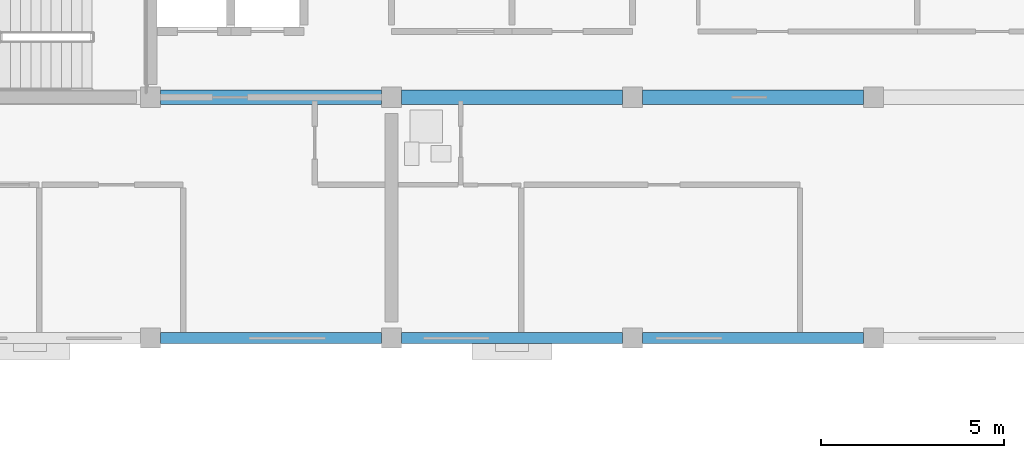
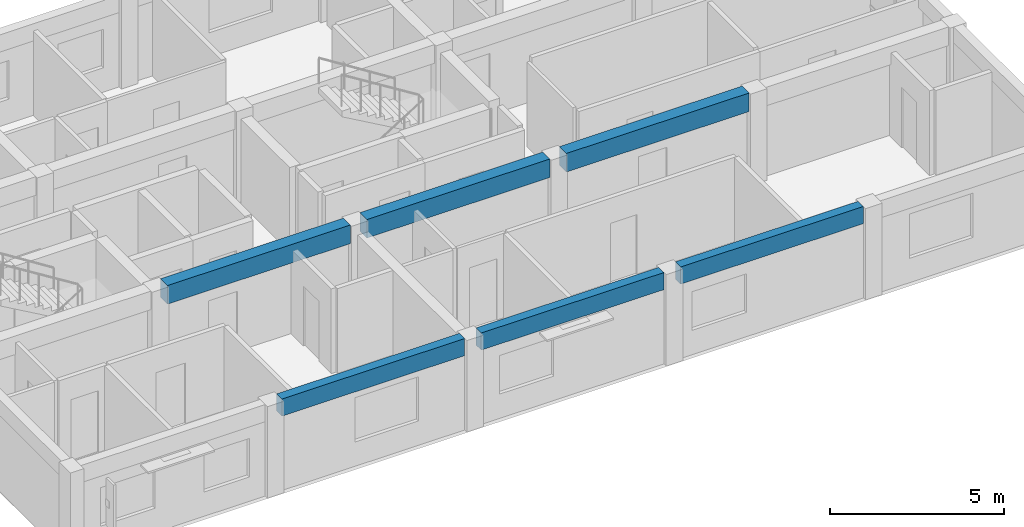
# One storey, part 19 of 52: 6 beams.
"""IFC4 building model written with IfcOpenShell, lengths in metres."""

from ifc_helpers import new_model, si_unit, direction, frame, origin, origin_2d, place, context, subcontext, project, spatial, rectangle, extrude, material, material_profile, profile_set, type_object, element, save


model = new_model("IFC4")

# Units and contexts
model_context = context("Model", 3, precision=1e-05, world=origin(), true_north=direction((0.0, 1.0)))
body_context = subcontext(model_context, "Body", "Model", "MODEL_VIEW")
ifc_project = project(units=[si_unit("LENGTHUNIT", "METRE"), si_unit("AREAUNIT", "SQUARE_METRE"), si_unit("VOLUMEUNIT", "CUBIC_METRE"), si_unit("PLANEANGLEUNIT", "RADIAN"), si_unit("MASSUNIT", "GRAM", prefix="KILO")], contexts=[model_context])

# Site, building, storey
site_placement = place(None, origin())
site = spatial("IfcSite", under=ifc_project, at=site_placement, CompositionType="ELEMENT")
building_placement = place(site_placement, origin())
building = spatial("IfcBuilding", under=site, at=building_placement, Name="Kernevlak Ridge Housing Community", CompositionType="ELEMENT")
storey_placement = place(building_placement, frame((0.0, 0.0, 11.60009765625)))
storey = spatial("IfcBuildingStorey", under=building, at=storey_placement, Name="L03", CompositionType="ELEMENT", Elevation=11.60009765625)

# Beams
ifc_material = material(Name="Concrete C35/45", Category="concrete")
ifc_material_profile_1 = material_profile(ifc_material, rectangle(XDim=0.39990234375, YDim=0.64990234375, at=origin_2d()), Name="RC 400x650")
ifc_profile_set_1 = profile_set([ifc_material_profile_1], Name="Concrete C35/45")
beam_type_1 = type_object("IfcBeamType", Name="B-03", PredefinedType="T_BEAM", material=ifc_profile_set_1)
for number, where, z_axis, x_axis, name in (
    (1, (126.27490234375, 89.199951171875, 2.875), (1.0, 0.0, 0.0), (0.0, 1.0, 0.0), "Beam B-03 L03 661"),
    (2, (132.875, 89.199951171875, 2.875), (1.0, 0.0, 0.0), (0.0, 1.0, 0.0), "Beam B-03 L03 662"),
):
    element("IfcBeam", number, at=place(storey_placement, frame(where, z_axis=z_axis, x_axis=x_axis)), inside=storey, type_object=beam_type_1, Name=name, PredefinedType="T_BEAM", context=body_context, shape_type="SweptSolid", body=[
        extrude(rectangle(XDim=0.39990234375, YDim=0.64990234375, at=origin_2d()), origin(), (0.0, 0.0, 1.0), 6.050048828125),
    ])
beam_1_placement = place(storey_placement, frame((139.47509765625, 89.199951171875, 2.875), z_axis=(1.0, 0.0, 0.0), x_axis=(0.0, 1.0, 0.0)))
element("IfcBeam", 3, at=beam_1_placement, inside=storey, type_object=beam_type_1, Name="Beam B-03 L03 663", PredefinedType="T_BEAM", context=body_context, shape_type="SweptSolid", body=[
    extrude(rectangle(XDim=0.39990234375, YDim=0.64990234375, at=origin_2d()), origin(), (0.0, 0.0, 1.0), 6.0498046875),
])
ifc_material_profile_2 = material_profile(ifc_material, rectangle(XDim=0.300048828125, YDim=0.60009765625, at=origin_2d()), Name="RC 300x600")
ifc_profile_set_2 = profile_set([ifc_material_profile_2], Name="Concrete C35/45")
beam_type_2 = type_object("IfcBeamType", Name="SP-02", PredefinedType="SPANDREL", material=ifc_profile_set_2)
for number, where, z_axis, x_axis, name in (
    (4, (126.27490234375, 82.60009765625, 2.89990234375), (1.0, 0.0, 0.0), (0.0, 1.0, 0.0), "Beam SP-02 L03 656"),
    (5, (132.875, 82.60009765625, 2.89990234375), (1.0, 0.0, 0.0), (0.0, 1.0, 0.0), "Beam SP-02 L03 657"),
):
    element("IfcBeam", number, at=place(storey_placement, frame(where, z_axis=z_axis, x_axis=x_axis)), inside=storey, type_object=beam_type_2, Name=name, PredefinedType="SPANDREL", context=body_context, shape_type="SweptSolid", body=[
        extrude(rectangle(XDim=0.300048828125, YDim=0.60009765625, at=origin_2d()), origin(), (0.0, 0.0, 1.0), 6.050048828125),
    ])
beam_2_placement = place(storey_placement, frame((139.47509765625, 82.60009765625, 2.89990234375), z_axis=(1.0, 0.0, 0.0), x_axis=(0.0, 1.0, 0.0)))
element("IfcBeam", 6, at=beam_2_placement, inside=storey, type_object=beam_type_2, Name="Beam SP-02 L03 658", PredefinedType="SPANDREL", context=body_context, shape_type="SweptSolid", body=[
    extrude(rectangle(XDim=0.300048828125, YDim=0.60009765625, at=origin_2d()), origin(), (0.0, 0.0, 1.0), 6.0498046875),
])

save(model, "model.ifc")
